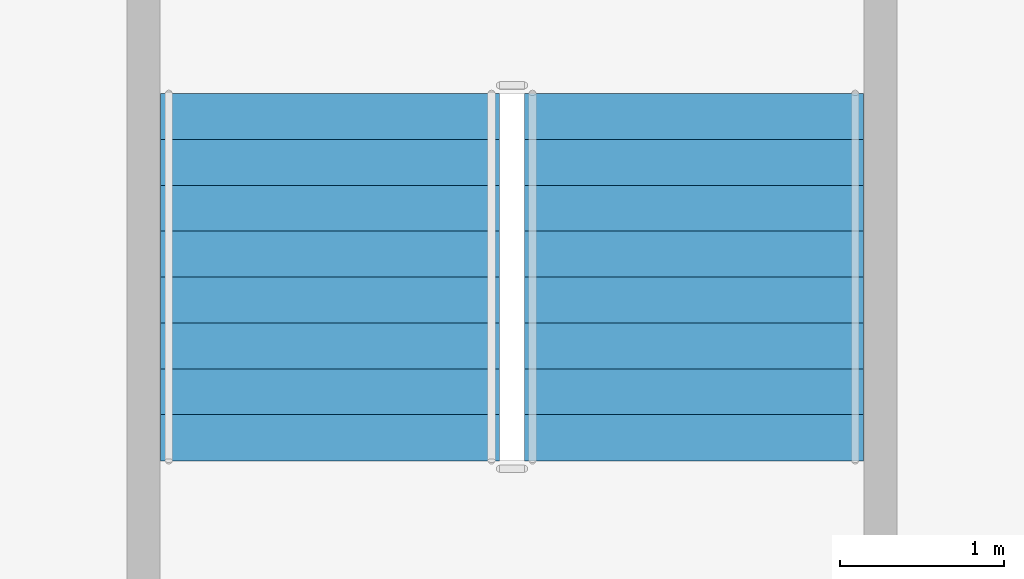
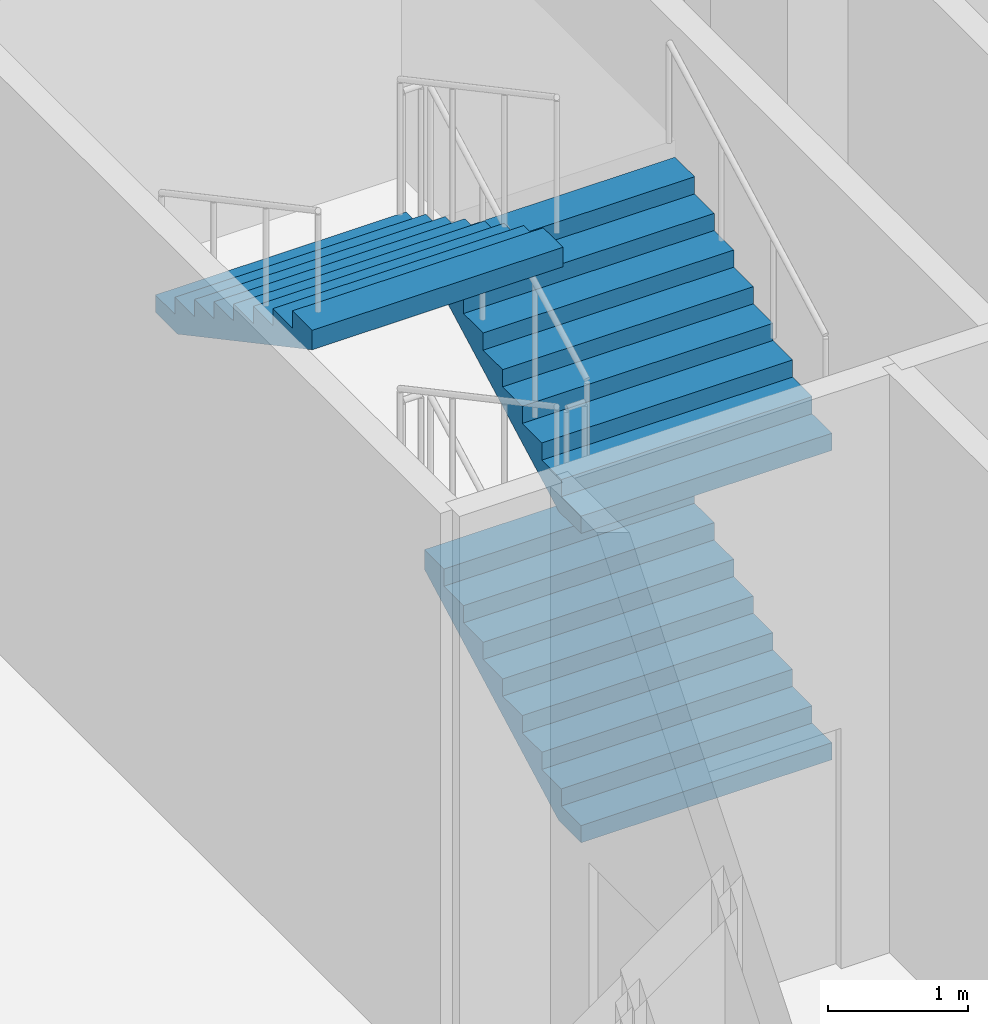
# One storey, part 12 of 26: 3 stair flights, 1 element without a shape of its own.
"""IFC4 building model written with IfcOpenShell, lengths in metres."""

from ifc_helpers import new_model, si_unit, direction, frame, origin, place, context, subcontext, project, spatial, polygons, material, type_object, element, aggregate, save


model = new_model("IFC4")

# Units and contexts
model_context = context("Model", 3, precision=1e-05, world=origin(), true_north=direction((0.0, 1.0)))
body_context = subcontext(model_context, "Body", "Model", "MODEL_VIEW")
ifc_project = project(units=[si_unit("LENGTHUNIT", "METRE"), si_unit("AREAUNIT", "SQUARE_METRE"), si_unit("VOLUMEUNIT", "CUBIC_METRE"), si_unit("PLANEANGLEUNIT", "RADIAN"), si_unit("MASSUNIT", "GRAM", prefix="KILO")], contexts=[model_context])

# Site, building, storey
site_placement = place(None, origin())
site = spatial("IfcSite", under=ifc_project, at=site_placement, CompositionType="ELEMENT")
building_placement = place(site_placement, origin())
building = spatial("IfcBuilding", under=site, at=building_placement, Name="Caravel Reach Hotel and Residences", CompositionType="ELEMENT")
storey_placement = place(building_placement, frame((0.0, 0.0, 12.0)))
storey = spatial("IfcBuildingStorey", under=building, at=storey_placement, Name="L02", CompositionType="ELEMENT", Elevation=12.0)

# Stair, stair flights
ifc_material_1 = material(Name="Concrete C40", Category="concrete")
stair_type = type_object("IfcStairType", Name="Core stair", PredefinedType="HALF_TURN_STAIR", material=ifc_material_1)
stair_placement = place(storey_placement, origin())
stair = element("IfcStair", 1, at=stair_placement, inside=storey, type_object=stair_type, Name="L02 Exit stair P4", PredefinedType="HALF_TURN_STAIR")
ifc_material_2 = material(Name="Concrete C40", Category="concrete")
stair_flight_type = type_object("IfcStairFlightType", Name="Core stair flight", PredefinedType="STRAIGHT", material=ifc_material_2)
stair_flight_1_placement = place(storey_placement, frame((55.110107421875, 13.68994140625, 0.0), z_axis=(0.0, 0.0, 1.0), x_axis=(0.0, 1.0, 0.0)))
stair_flight_1 = element("IfcStairFlight", 2, at=stair_flight_1_placement, type_object=stair_flight_type, Name="ST-P4 flight 1", NumberOfRisers=9, NumberOfTreads=8, PredefinedType="STRAIGHT", RiserHeight=0.15, TreadLength=0.28, context=body_context, shape_type="Tessellation", body=[
    polygons([(0.3174408016601864, 1.0350341796875, 0.0), (0.3174408016601864, 0.6900227864583333, 0.0), (0.3174408016601864, 0.34501139322916663, 0.0), (0.3174408016601864, 0.0, 0.0), (0.3174408016601864, -0.34501139322916674, 0.0), (0.3174408016601864, -0.6900227864583333, 0.0), (0.3174408016601864, -1.0350341796875, 0.0), (2.241, 1.0350341796875, 1.029942427682043), (2.241, 0.6900227864583333, 1.029942427682043), (2.241, 0.34501139322916663, 1.029942427682043), (2.241, 0.0, 1.029942427682043), (2.241, -0.34501139322916674, 1.029942427682043), (2.241, -0.6900227864583333, 1.029942427682043), (2.241, -1.0350341796875, 1.029942427682043), (2.241, 1.0350341796875, 1.2), (2.241, 0.6900227864583333, 1.2), (2.241, 0.34501139322916663, 1.2), (2.241, 0.0, 1.2), (2.241, -0.34501139322916674, 1.2), (2.241, -0.6900227864583333, 1.2), (2.241, -1.0350341796875, 1.2), (1.9600000000000002, 1.0350341796875, 1.2), (1.9600000000000002, 0.6900227864583333, 1.2), (1.9600000000000002, 0.34501139322916663, 1.2), (1.9600000000000002, 0.0, 1.2), (1.9600000000000002, -0.34501139322916674, 1.2), (1.9600000000000002, -0.6900227864583333, 1.2), (1.9600000000000002, -1.0350341796875, 1.2), (1.9600000000000002, 1.0350341796875, 1.05), (1.9600000000000002, 0.6900227864583333, 1.05), (1.9600000000000002, 0.34501139322916663, 1.05), (1.9600000000000002, 0.0, 1.05), (1.9600000000000002, -0.34501139322916674, 1.05), (1.9600000000000002, -0.6900227864583333, 1.05), (1.9600000000000002, -1.0350341796875, 1.05), (1.6800000000000002, 1.0350341796875, 1.05), (1.6800000000000002, 0.6900227864583333, 1.05), (1.6800000000000002, 0.34501139322916663, 1.05), (1.6800000000000002, 0.0, 1.05), (1.6800000000000002, -0.34501139322916674, 1.05), (1.6800000000000002, -0.6900227864583333, 1.05), (1.6800000000000002, -1.0350341796875, 1.05), (1.6800000000000002, 1.0350341796875, 0.8999999999999999), (1.6800000000000002, 0.6900227864583333, 0.8999999999999999), (1.6800000000000002, 0.34501139322916663, 0.8999999999999999), (1.6800000000000002, 0.0, 0.8999999999999999), (1.6800000000000002, -0.34501139322916674, 0.8999999999999999), (1.6800000000000002, -0.6900227864583333, 0.8999999999999999), (1.6800000000000002, -1.0350341796875, 0.8999999999999999), (1.4000000000000001, 1.0350341796875, 0.8999999999999999), (1.4000000000000001, 0.6900227864583333, 0.8999999999999999), (1.4000000000000001, 0.34501139322916663, 0.8999999999999999), (1.4000000000000001, 0.0, 0.8999999999999999), (1.4000000000000001, -0.34501139322916674, 0.8999999999999999), (1.4000000000000001, -0.6900227864583333, 0.8999999999999999), (1.4000000000000001, -1.0350341796875, 0.8999999999999999), (1.4000000000000001, 1.0350341796875, 0.75), (1.4000000000000001, 0.6900227864583333, 0.75), (1.4000000000000001, 0.34501139322916663, 0.75), (1.4000000000000001, 0.0, 0.75), (1.4000000000000001, -0.34501139322916674, 0.75), (1.4000000000000001, -0.6900227864583333, 0.75), (1.4000000000000001, -1.0350341796875, 0.75), (1.12, 1.0350341796875, 0.75), (1.12, 0.6900227864583333, 0.75), (1.12, 0.34501139322916663, 0.75), (1.12, 0.0, 0.75), (1.12, -0.34501139322916674, 0.75), (1.12, -0.6900227864583333, 0.75), (1.12, -1.0350341796875, 0.75), (1.12, 1.0350341796875, 0.6), (1.12, 0.6900227864583333, 0.6), (1.12, 0.34501139322916663, 0.6), (1.12, 0.0, 0.6), (1.12, -0.34501139322916674, 0.6), (1.12, -0.6900227864583333, 0.6), (1.12, -1.0350341796875, 0.6), (0.8400000000000001, 1.0350341796875, 0.6), (0.8400000000000001, 0.6900227864583333, 0.6), (0.8400000000000001, 0.34501139322916663, 0.6), (0.8400000000000001, 0.0, 0.6), (0.8400000000000001, -0.34501139322916674, 0.6), (0.8400000000000001, -0.6900227864583333, 0.6), (0.8400000000000001, -1.0350341796875, 0.6), (0.8400000000000001, 1.0350341796875, 0.44999999999999996), (0.8400000000000001, 0.6900227864583333, 0.44999999999999996), (0.8400000000000001, 0.34501139322916663, 0.44999999999999996), (0.8400000000000001, 0.0, 0.44999999999999996), (0.8400000000000001, -0.34501139322916674, 0.44999999999999996), (0.8400000000000001, -0.6900227864583333, 0.44999999999999996), (0.8400000000000001, -1.0350341796875, 0.44999999999999996), (0.56, 1.0350341796875, 0.44999999999999996), (0.56, 0.6900227864583333, 0.44999999999999996), (0.56, 0.34501139322916663, 0.44999999999999996), (0.56, 0.0, 0.44999999999999996), (0.56, -0.34501139322916674, 0.44999999999999996), (0.56, -0.6900227864583333, 0.44999999999999996), (0.56, -1.0350341796875, 0.44999999999999996), (0.56, 1.0350341796875, 0.3), (0.56, 0.6900227864583333, 0.3), (0.56, 0.34501139322916663, 0.3), (0.56, 0.0, 0.3), (0.56, -0.34501139322916674, 0.3), (0.56, -0.6900227864583333, 0.3), (0.56, -1.0350341796875, 0.3), (0.28, 1.0350341796875, 0.3), (0.28, 0.6900227864583333, 0.3), (0.28, 0.34501139322916663, 0.3), (0.28, 0.0, 0.3), (0.28, -0.34501139322916674, 0.3), (0.28, -0.6900227864583333, 0.3), (0.28, -1.0350341796875, 0.3), (0.28, 1.0350341796875, 0.15), (0.28, 0.6900227864583333, 0.15), (0.28, 0.34501139322916663, 0.15), (0.28, 0.0, 0.15), (0.28, -0.34501139322916674, 0.15), (0.28, -0.6900227864583333, 0.15), (0.28, -1.0350341796875, 0.15), (-0.001, 1.0350341796875, 0.15), (-0.001, 0.6900227864583333, 0.15), (-0.001, 0.34501139322916663, 0.15), (-0.001, 0.0, 0.15), (-0.001, -0.34501139322916674, 0.15), (-0.001, -0.6900227864583333, 0.15), (-0.001, -1.0350341796875, 0.15), (-0.001, 1.0350341796875, 0.0), (-0.001, 0.6900227864583333, 0.0), (-0.001, 0.34501139322916663, 0.0), (-0.001, 0.0, 0.0), (-0.001, -0.34501139322916674, 0.0), (-0.001, -0.6900227864583333, 0.0), (-0.001, -1.0350341796875, 0.0)], [[[127, 120, 113, 106, 99, 92, 85, 78, 71, 64, 57, 50, 43, 36, 29, 22, 15, 8, 1]], [[7, 14, 21, 28, 35, 42, 49, 56, 63, 70, 77, 84, 91, 98, 105, 112, 119, 126, 133]], [[1, 8, 9, 2]], [[2, 9, 10, 3]], [[3, 10, 11, 4]], [[4, 11, 12, 5]], [[5, 12, 13, 6]], [[6, 13, 14, 7]], [[8, 15, 16, 9]], [[9, 16, 17, 10]], [[10, 17, 18, 11]], [[11, 18, 19, 12]], [[12, 19, 20, 13]], [[13, 20, 21, 14]], [[15, 22, 23, 16]], [[16, 23, 24, 17]], [[17, 24, 25, 18]], [[18, 25, 26, 19]], [[19, 26, 27, 20]], [[20, 27, 28, 21]], [[22, 29, 30, 23]], [[23, 30, 31, 24]], [[24, 31, 32, 25]], [[25, 32, 33, 26]], [[26, 33, 34, 27]], [[27, 34, 35, 28]], [[29, 36, 37, 30]], [[30, 37, 38, 31]], [[31, 38, 39, 32]], [[32, 39, 40, 33]], [[33, 40, 41, 34]], [[34, 41, 42, 35]], [[36, 43, 44, 37]], [[37, 44, 45, 38]], [[38, 45, 46, 39]], [[39, 46, 47, 40]], [[40, 47, 48, 41]], [[41, 48, 49, 42]], [[43, 50, 51, 44]], [[44, 51, 52, 45]], [[45, 52, 53, 46]], [[46, 53, 54, 47]], [[47, 54, 55, 48]], [[48, 55, 56, 49]], [[50, 57, 58, 51]], [[51, 58, 59, 52]], [[52, 59, 60, 53]], [[53, 60, 61, 54]], [[54, 61, 62, 55]], [[55, 62, 63, 56]], [[57, 64, 65, 58]], [[58, 65, 66, 59]], [[59, 66, 67, 60]], [[60, 67, 68, 61]], [[61, 68, 69, 62]], [[62, 69, 70, 63]], [[64, 71, 72, 65]], [[65, 72, 73, 66]], [[66, 73, 74, 67]], [[67, 74, 75, 68]], [[68, 75, 76, 69]], [[69, 76, 77, 70]], [[71, 78, 79, 72]], [[72, 79, 80, 73]], [[73, 80, 81, 74]], [[74, 81, 82, 75]], [[75, 82, 83, 76]], [[76, 83, 84, 77]], [[78, 85, 86, 79]], [[79, 86, 87, 80]], [[80, 87, 88, 81]], [[81, 88, 89, 82]], [[82, 89, 90, 83]], [[83, 90, 91, 84]], [[85, 92, 93, 86]], [[86, 93, 94, 87]], [[87, 94, 95, 88]], [[88, 95, 96, 89]], [[89, 96, 97, 90]], [[90, 97, 98, 91]], [[92, 99, 100, 93]], [[93, 100, 101, 94]], [[94, 101, 102, 95]], [[95, 102, 103, 96]], [[96, 103, 104, 97]], [[97, 104, 105, 98]], [[99, 106, 107, 100]], [[100, 107, 108, 101]], [[101, 108, 109, 102]], [[102, 109, 110, 103]], [[103, 110, 111, 104]], [[104, 111, 112, 105]], [[106, 113, 114, 107]], [[107, 114, 115, 108]], [[108, 115, 116, 109]], [[109, 116, 117, 110]], [[110, 117, 118, 111]], [[111, 118, 119, 112]], [[113, 120, 121, 114]], [[114, 121, 122, 115]], [[115, 122, 123, 116]], [[116, 123, 124, 117]], [[117, 124, 125, 118]], [[118, 125, 126, 119]], [[120, 127, 128, 121]], [[121, 128, 129, 122]], [[122, 129, 130, 123]], [[123, 130, 131, 124]], [[124, 131, 132, 125]], [[125, 132, 133, 126]], [[127, 1, 2, 128]], [[128, 2, 3, 129]], [[129, 3, 4, 130]], [[130, 4, 5, 131]], [[131, 5, 6, 132]], [[132, 6, 7, 133]]], closed=True),
])
stair_flight_2_placement = place(storey_placement, frame((55.110107421875, 13.68994140625, 2.699951171875), z_axis=(0.0, 0.0, 1.0), x_axis=(0.0, 1.0, 0.0)))
stair_flight_2 = element("IfcStairFlight", 3, at=stair_flight_2_placement, type_object=stair_flight_type, Name="ST-P4 flight 3", NumberOfRisers=9, NumberOfTreads=8, PredefinedType="STRAIGHT", RiserHeight=0.15, TreadLength=0.28, context=body_context, shape_type="Tessellation", body=[
    polygons([(0.3174408016601864, 1.0350341796875, 0.0), (0.3174408016601864, 0.6900227864583333, 0.0), (0.3174408016601864, 0.34501139322916663, 0.0), (0.3174408016601864, 0.0, 0.0), (0.3174408016601864, -0.34501139322916674, 0.0), (0.3174408016601864, -0.6900227864583333, 0.0), (0.3174408016601864, -1.0350341796875, 0.0), (2.241, 1.0350341796875, 1.029942427682043), (2.241, 0.6900227864583333, 1.029942427682043), (2.241, 0.34501139322916663, 1.029942427682043), (2.241, 0.0, 1.029942427682043), (2.241, -0.34501139322916674, 1.029942427682043), (2.241, -0.6900227864583333, 1.029942427682043), (2.241, -1.0350341796875, 1.029942427682043), (2.241, 1.0350341796875, 1.2), (2.241, 0.6900227864583333, 1.2), (2.241, 0.34501139322916663, 1.2), (2.241, 0.0, 1.2), (2.241, -0.34501139322916674, 1.2), (2.241, -0.6900227864583333, 1.2), (2.241, -1.0350341796875, 1.2), (1.9600000000000002, 1.0350341796875, 1.2), (1.9600000000000002, 0.6900227864583333, 1.2), (1.9600000000000002, 0.34501139322916663, 1.2), (1.9600000000000002, 0.0, 1.2), (1.9600000000000002, -0.34501139322916674, 1.2), (1.9600000000000002, -0.6900227864583333, 1.2), (1.9600000000000002, -1.0350341796875, 1.2), (1.9600000000000002, 1.0350341796875, 1.05), (1.9600000000000002, 0.6900227864583333, 1.05), (1.9600000000000002, 0.34501139322916663, 1.05), (1.9600000000000002, 0.0, 1.05), (1.9600000000000002, -0.34501139322916674, 1.05), (1.9600000000000002, -0.6900227864583333, 1.05), (1.9600000000000002, -1.0350341796875, 1.05), (1.6800000000000002, 1.0350341796875, 1.05), (1.6800000000000002, 0.6900227864583333, 1.05), (1.6800000000000002, 0.34501139322916663, 1.05), (1.6800000000000002, 0.0, 1.05), (1.6800000000000002, -0.34501139322916674, 1.05), (1.6800000000000002, -0.6900227864583333, 1.05), (1.6800000000000002, -1.0350341796875, 1.05), (1.6800000000000002, 1.0350341796875, 0.8999999999999999), (1.6800000000000002, 0.6900227864583333, 0.8999999999999999), (1.6800000000000002, 0.34501139322916663, 0.8999999999999999), (1.6800000000000002, 0.0, 0.8999999999999999), (1.6800000000000002, -0.34501139322916674, 0.8999999999999999), (1.6800000000000002, -0.6900227864583333, 0.8999999999999999), (1.6800000000000002, -1.0350341796875, 0.8999999999999999), (1.4000000000000001, 1.0350341796875, 0.8999999999999999), (1.4000000000000001, 0.6900227864583333, 0.8999999999999999), (1.4000000000000001, 0.34501139322916663, 0.8999999999999999), (1.4000000000000001, 0.0, 0.8999999999999999), (1.4000000000000001, -0.34501139322916674, 0.8999999999999999), (1.4000000000000001, -0.6900227864583333, 0.8999999999999999), (1.4000000000000001, -1.0350341796875, 0.8999999999999999), (1.4000000000000001, 1.0350341796875, 0.75), (1.4000000000000001, 0.6900227864583333, 0.75), (1.4000000000000001, 0.34501139322916663, 0.75), (1.4000000000000001, 0.0, 0.75), (1.4000000000000001, -0.34501139322916674, 0.75), (1.4000000000000001, -0.6900227864583333, 0.75), (1.4000000000000001, -1.0350341796875, 0.75), (1.12, 1.0350341796875, 0.75), (1.12, 0.6900227864583333, 0.75), (1.12, 0.34501139322916663, 0.75), (1.12, 0.0, 0.75), (1.12, -0.34501139322916674, 0.75), (1.12, -0.6900227864583333, 0.75), (1.12, -1.0350341796875, 0.75), (1.12, 1.0350341796875, 0.6), (1.12, 0.6900227864583333, 0.6), (1.12, 0.34501139322916663, 0.6), (1.12, 0.0, 0.6), (1.12, -0.34501139322916674, 0.6), (1.12, -0.6900227864583333, 0.6), (1.12, -1.0350341796875, 0.6), (0.8400000000000001, 1.0350341796875, 0.6), (0.8400000000000001, 0.6900227864583333, 0.6), (0.8400000000000001, 0.34501139322916663, 0.6), (0.8400000000000001, 0.0, 0.6), (0.8400000000000001, -0.34501139322916674, 0.6), (0.8400000000000001, -0.6900227864583333, 0.6), (0.8400000000000001, -1.0350341796875, 0.6), (0.8400000000000001, 1.0350341796875, 0.44999999999999996), (0.8400000000000001, 0.6900227864583333, 0.44999999999999996), (0.8400000000000001, 0.34501139322916663, 0.44999999999999996), (0.8400000000000001, 0.0, 0.44999999999999996), (0.8400000000000001, -0.34501139322916674, 0.44999999999999996), (0.8400000000000001, -0.6900227864583333, 0.44999999999999996), (0.8400000000000001, -1.0350341796875, 0.44999999999999996), (0.56, 1.0350341796875, 0.44999999999999996), (0.56, 0.6900227864583333, 0.44999999999999996), (0.56, 0.34501139322916663, 0.44999999999999996), (0.56, 0.0, 0.44999999999999996), (0.56, -0.34501139322916674, 0.44999999999999996), (0.56, -0.6900227864583333, 0.44999999999999996), (0.56, -1.0350341796875, 0.44999999999999996), (0.56, 1.0350341796875, 0.3), (0.56, 0.6900227864583333, 0.3), (0.56, 0.34501139322916663, 0.3), (0.56, 0.0, 0.3), (0.56, -0.34501139322916674, 0.3), (0.56, -0.6900227864583333, 0.3), (0.56, -1.0350341796875, 0.3), (0.28, 1.0350341796875, 0.3), (0.28, 0.6900227864583333, 0.3), (0.28, 0.34501139322916663, 0.3), (0.28, 0.0, 0.3), (0.28, -0.34501139322916674, 0.3), (0.28, -0.6900227864583333, 0.3), (0.28, -1.0350341796875, 0.3), (0.28, 1.0350341796875, 0.15), (0.28, 0.6900227864583333, 0.15), (0.28, 0.34501139322916663, 0.15), (0.28, 0.0, 0.15), (0.28, -0.34501139322916674, 0.15), (0.28, -0.6900227864583333, 0.15), (0.28, -1.0350341796875, 0.15), (-0.001, 1.0350341796875, 0.15), (-0.001, 0.6900227864583333, 0.15), (-0.001, 0.34501139322916663, 0.15), (-0.001, 0.0, 0.15), (-0.001, -0.34501139322916674, 0.15), (-0.001, -0.6900227864583333, 0.15), (-0.001, -1.0350341796875, 0.15), (-0.001, 1.0350341796875, 0.0), (-0.001, 0.6900227864583333, 0.0), (-0.001, 0.34501139322916663, 0.0), (-0.001, 0.0, 0.0), (-0.001, -0.34501139322916674, 0.0), (-0.001, -0.6900227864583333, 0.0), (-0.001, -1.0350341796875, 0.0)], [[[127, 120, 113, 106, 99, 92, 85, 78, 71, 64, 57, 50, 43, 36, 29, 22, 15, 8, 1]], [[7, 14, 21, 28, 35, 42, 49, 56, 63, 70, 77, 84, 91, 98, 105, 112, 119, 126, 133]], [[1, 8, 9, 2]], [[2, 9, 10, 3]], [[3, 10, 11, 4]], [[4, 11, 12, 5]], [[5, 12, 13, 6]], [[6, 13, 14, 7]], [[8, 15, 16, 9]], [[9, 16, 17, 10]], [[10, 17, 18, 11]], [[11, 18, 19, 12]], [[12, 19, 20, 13]], [[13, 20, 21, 14]], [[15, 22, 23, 16]], [[16, 23, 24, 17]], [[17, 24, 25, 18]], [[18, 25, 26, 19]], [[19, 26, 27, 20]], [[20, 27, 28, 21]], [[22, 29, 30, 23]], [[23, 30, 31, 24]], [[24, 31, 32, 25]], [[25, 32, 33, 26]], [[26, 33, 34, 27]], [[27, 34, 35, 28]], [[29, 36, 37, 30]], [[30, 37, 38, 31]], [[31, 38, 39, 32]], [[32, 39, 40, 33]], [[33, 40, 41, 34]], [[34, 41, 42, 35]], [[36, 43, 44, 37]], [[37, 44, 45, 38]], [[38, 45, 46, 39]], [[39, 46, 47, 40]], [[40, 47, 48, 41]], [[41, 48, 49, 42]], [[43, 50, 51, 44]], [[44, 51, 52, 45]], [[45, 52, 53, 46]], [[46, 53, 54, 47]], [[47, 54, 55, 48]], [[48, 55, 56, 49]], [[50, 57, 58, 51]], [[51, 58, 59, 52]], [[52, 59, 60, 53]], [[53, 60, 61, 54]], [[54, 61, 62, 55]], [[55, 62, 63, 56]], [[57, 64, 65, 58]], [[58, 65, 66, 59]], [[59, 66, 67, 60]], [[60, 67, 68, 61]], [[61, 68, 69, 62]], [[62, 69, 70, 63]], [[64, 71, 72, 65]], [[65, 72, 73, 66]], [[66, 73, 74, 67]], [[67, 74, 75, 68]], [[68, 75, 76, 69]], [[69, 76, 77, 70]], [[71, 78, 79, 72]], [[72, 79, 80, 73]], [[73, 80, 81, 74]], [[74, 81, 82, 75]], [[75, 82, 83, 76]], [[76, 83, 84, 77]], [[78, 85, 86, 79]], [[79, 86, 87, 80]], [[80, 87, 88, 81]], [[81, 88, 89, 82]], [[82, 89, 90, 83]], [[83, 90, 91, 84]], [[85, 92, 93, 86]], [[86, 93, 94, 87]], [[87, 94, 95, 88]], [[88, 95, 96, 89]], [[89, 96, 97, 90]], [[90, 97, 98, 91]], [[92, 99, 100, 93]], [[93, 100, 101, 94]], [[94, 101, 102, 95]], [[95, 102, 103, 96]], [[96, 103, 104, 97]], [[97, 104, 105, 98]], [[99, 106, 107, 100]], [[100, 107, 108, 101]], [[101, 108, 109, 102]], [[102, 109, 110, 103]], [[103, 110, 111, 104]], [[104, 111, 112, 105]], [[106, 113, 114, 107]], [[107, 114, 115, 108]], [[108, 115, 116, 109]], [[109, 116, 117, 110]], [[110, 117, 118, 111]], [[111, 118, 119, 112]], [[113, 120, 121, 114]], [[114, 121, 122, 115]], [[115, 122, 123, 116]], [[116, 123, 124, 117]], [[117, 124, 125, 118]], [[118, 125, 126, 119]], [[120, 127, 128, 121]], [[121, 128, 129, 122]], [[122, 129, 130, 123]], [[123, 130, 131, 124]], [[124, 131, 132, 125]], [[125, 132, 133, 126]], [[127, 1, 2, 128]], [[128, 2, 3, 129]], [[129, 3, 4, 130]], [[130, 4, 5, 131]], [[131, 5, 6, 132]], [[132, 6, 7, 133]]], closed=True),
])
stair_flight_3_placement = place(storey_placement, frame((52.889892578125, 15.929931640625, 4.050048828125), z_axis=(0.0, 0.0, 1.0), x_axis=(0.0, -1.0, 0.0)))
stair_flight_3 = element("IfcStairFlight", 4, at=stair_flight_3_placement, type_object=stair_flight_type, Name="ST-P4 flight 4", NumberOfRisers=9, NumberOfTreads=8, PredefinedType="STRAIGHT", RiserHeight=0.15, TreadLength=0.28, context=body_context, shape_type="Tessellation", body=[
    polygons([(0.3174408016601864, 1.0350341796875, 0.0), (0.3174408016601864, 0.6900227864583333, 0.0), (0.3174408016601864, 0.34501139322916663, 0.0), (0.3174408016601864, 0.0, 0.0), (0.3174408016601864, -0.34501139322916674, 0.0), (0.3174408016601864, -0.6900227864583333, 0.0), (0.3174408016601864, -1.0350341796875, 0.0), (2.241, 1.0350341796875, 1.029942427682043), (2.241, 0.6900227864583333, 1.029942427682043), (2.241, 0.34501139322916663, 1.029942427682043), (2.241, 0.0, 1.029942427682043), (2.241, -0.34501139322916674, 1.029942427682043), (2.241, -0.6900227864583333, 1.029942427682043), (2.241, -1.0350341796875, 1.029942427682043), (2.241, 1.0350341796875, 1.2), (2.241, 0.6900227864583333, 1.2), (2.241, 0.34501139322916663, 1.2), (2.241, 0.0, 1.2), (2.241, -0.34501139322916674, 1.2), (2.241, -0.6900227864583333, 1.2), (2.241, -1.0350341796875, 1.2), (1.9600000000000002, 1.0350341796875, 1.2), (1.9600000000000002, 0.6900227864583333, 1.2), (1.9600000000000002, 0.34501139322916663, 1.2), (1.9600000000000002, 0.0, 1.2), (1.9600000000000002, -0.34501139322916674, 1.2), (1.9600000000000002, -0.6900227864583333, 1.2), (1.9600000000000002, -1.0350341796875, 1.2), (1.9600000000000002, 1.0350341796875, 1.05), (1.9600000000000002, 0.6900227864583333, 1.05), (1.9600000000000002, 0.34501139322916663, 1.05), (1.9600000000000002, 0.0, 1.05), (1.9600000000000002, -0.34501139322916674, 1.05), (1.9600000000000002, -0.6900227864583333, 1.05), (1.9600000000000002, -1.0350341796875, 1.05), (1.6800000000000002, 1.0350341796875, 1.05), (1.6800000000000002, 0.6900227864583333, 1.05), (1.6800000000000002, 0.34501139322916663, 1.05), (1.6800000000000002, 0.0, 1.05), (1.6800000000000002, -0.34501139322916674, 1.05), (1.6800000000000002, -0.6900227864583333, 1.05), (1.6800000000000002, -1.0350341796875, 1.05), (1.6800000000000002, 1.0350341796875, 0.8999999999999999), (1.6800000000000002, 0.6900227864583333, 0.8999999999999999), (1.6800000000000002, 0.34501139322916663, 0.8999999999999999), (1.6800000000000002, 0.0, 0.8999999999999999), (1.6800000000000002, -0.34501139322916674, 0.8999999999999999), (1.6800000000000002, -0.6900227864583333, 0.8999999999999999), (1.6800000000000002, -1.0350341796875, 0.8999999999999999), (1.4000000000000001, 1.0350341796875, 0.8999999999999999), (1.4000000000000001, 0.6900227864583333, 0.8999999999999999), (1.4000000000000001, 0.34501139322916663, 0.8999999999999999), (1.4000000000000001, 0.0, 0.8999999999999999), (1.4000000000000001, -0.34501139322916674, 0.8999999999999999), (1.4000000000000001, -0.6900227864583333, 0.8999999999999999), (1.4000000000000001, -1.0350341796875, 0.8999999999999999), (1.4000000000000001, 1.0350341796875, 0.75), (1.4000000000000001, 0.6900227864583333, 0.75), (1.4000000000000001, 0.34501139322916663, 0.75), (1.4000000000000001, 0.0, 0.75), (1.4000000000000001, -0.34501139322916674, 0.75), (1.4000000000000001, -0.6900227864583333, 0.75), (1.4000000000000001, -1.0350341796875, 0.75), (1.12, 1.0350341796875, 0.75), (1.12, 0.6900227864583333, 0.75), (1.12, 0.34501139322916663, 0.75), (1.12, 0.0, 0.75), (1.12, -0.34501139322916674, 0.75), (1.12, -0.6900227864583333, 0.75), (1.12, -1.0350341796875, 0.75), (1.12, 1.0350341796875, 0.6), (1.12, 0.6900227864583333, 0.6), (1.12, 0.34501139322916663, 0.6), (1.12, 0.0, 0.6), (1.12, -0.34501139322916674, 0.6), (1.12, -0.6900227864583333, 0.6), (1.12, -1.0350341796875, 0.6), (0.8400000000000001, 1.0350341796875, 0.6), (0.8400000000000001, 0.6900227864583333, 0.6), (0.8400000000000001, 0.34501139322916663, 0.6), (0.8400000000000001, 0.0, 0.6), (0.8400000000000001, -0.34501139322916674, 0.6), (0.8400000000000001, -0.6900227864583333, 0.6), (0.8400000000000001, -1.0350341796875, 0.6), (0.8400000000000001, 1.0350341796875, 0.44999999999999996), (0.8400000000000001, 0.6900227864583333, 0.44999999999999996), (0.8400000000000001, 0.34501139322916663, 0.44999999999999996), (0.8400000000000001, 0.0, 0.44999999999999996), (0.8400000000000001, -0.34501139322916674, 0.44999999999999996), (0.8400000000000001, -0.6900227864583333, 0.44999999999999996), (0.8400000000000001, -1.0350341796875, 0.44999999999999996), (0.56, 1.0350341796875, 0.44999999999999996), (0.56, 0.6900227864583333, 0.44999999999999996), (0.56, 0.34501139322916663, 0.44999999999999996), (0.56, 0.0, 0.44999999999999996), (0.56, -0.34501139322916674, 0.44999999999999996), (0.56, -0.6900227864583333, 0.44999999999999996), (0.56, -1.0350341796875, 0.44999999999999996), (0.56, 1.0350341796875, 0.3), (0.56, 0.6900227864583333, 0.3), (0.56, 0.34501139322916663, 0.3), (0.56, 0.0, 0.3), (0.56, -0.34501139322916674, 0.3), (0.56, -0.6900227864583333, 0.3), (0.56, -1.0350341796875, 0.3), (0.28, 1.0350341796875, 0.3), (0.28, 0.6900227864583333, 0.3), (0.28, 0.34501139322916663, 0.3), (0.28, 0.0, 0.3), (0.28, -0.34501139322916674, 0.3), (0.28, -0.6900227864583333, 0.3), (0.28, -1.0350341796875, 0.3), (0.28, 1.0350341796875, 0.15), (0.28, 0.6900227864583333, 0.15), (0.28, 0.34501139322916663, 0.15), (0.28, 0.0, 0.15), (0.28, -0.34501139322916674, 0.15), (0.28, -0.6900227864583333, 0.15), (0.28, -1.0350341796875, 0.15), (-0.001, 1.0350341796875, 0.15), (-0.001, 0.6900227864583333, 0.15), (-0.001, 0.34501139322916663, 0.15), (-0.001, 0.0, 0.15), (-0.001, -0.34501139322916674, 0.15), (-0.001, -0.6900227864583333, 0.15), (-0.001, -1.0350341796875, 0.15), (-0.001, 1.0350341796875, 0.0), (-0.001, 0.6900227864583333, 0.0), (-0.001, 0.34501139322916663, 0.0), (-0.001, 0.0, 0.0), (-0.001, -0.34501139322916674, 0.0), (-0.001, -0.6900227864583333, 0.0), (-0.001, -1.0350341796875, 0.0)], [[[127, 120, 113, 106, 99, 92, 85, 78, 71, 64, 57, 50, 43, 36, 29, 22, 15, 8, 1]], [[7, 14, 21, 28, 35, 42, 49, 56, 63, 70, 77, 84, 91, 98, 105, 112, 119, 126, 133]], [[1, 8, 9, 2]], [[2, 9, 10, 3]], [[3, 10, 11, 4]], [[4, 11, 12, 5]], [[5, 12, 13, 6]], [[6, 13, 14, 7]], [[8, 15, 16, 9]], [[9, 16, 17, 10]], [[10, 17, 18, 11]], [[11, 18, 19, 12]], [[12, 19, 20, 13]], [[13, 20, 21, 14]], [[15, 22, 23, 16]], [[16, 23, 24, 17]], [[17, 24, 25, 18]], [[18, 25, 26, 19]], [[19, 26, 27, 20]], [[20, 27, 28, 21]], [[22, 29, 30, 23]], [[23, 30, 31, 24]], [[24, 31, 32, 25]], [[25, 32, 33, 26]], [[26, 33, 34, 27]], [[27, 34, 35, 28]], [[29, 36, 37, 30]], [[30, 37, 38, 31]], [[31, 38, 39, 32]], [[32, 39, 40, 33]], [[33, 40, 41, 34]], [[34, 41, 42, 35]], [[36, 43, 44, 37]], [[37, 44, 45, 38]], [[38, 45, 46, 39]], [[39, 46, 47, 40]], [[40, 47, 48, 41]], [[41, 48, 49, 42]], [[43, 50, 51, 44]], [[44, 51, 52, 45]], [[45, 52, 53, 46]], [[46, 53, 54, 47]], [[47, 54, 55, 48]], [[48, 55, 56, 49]], [[50, 57, 58, 51]], [[51, 58, 59, 52]], [[52, 59, 60, 53]], [[53, 60, 61, 54]], [[54, 61, 62, 55]], [[55, 62, 63, 56]], [[57, 64, 65, 58]], [[58, 65, 66, 59]], [[59, 66, 67, 60]], [[60, 67, 68, 61]], [[61, 68, 69, 62]], [[62, 69, 70, 63]], [[64, 71, 72, 65]], [[65, 72, 73, 66]], [[66, 73, 74, 67]], [[67, 74, 75, 68]], [[68, 75, 76, 69]], [[69, 76, 77, 70]], [[71, 78, 79, 72]], [[72, 79, 80, 73]], [[73, 80, 81, 74]], [[74, 81, 82, 75]], [[75, 82, 83, 76]], [[76, 83, 84, 77]], [[78, 85, 86, 79]], [[79, 86, 87, 80]], [[80, 87, 88, 81]], [[81, 88, 89, 82]], [[82, 89, 90, 83]], [[83, 90, 91, 84]], [[85, 92, 93, 86]], [[86, 93, 94, 87]], [[87, 94, 95, 88]], [[88, 95, 96, 89]], [[89, 96, 97, 90]], [[90, 97, 98, 91]], [[92, 99, 100, 93]], [[93, 100, 101, 94]], [[94, 101, 102, 95]], [[95, 102, 103, 96]], [[96, 103, 104, 97]], [[97, 104, 105, 98]], [[99, 106, 107, 100]], [[100, 107, 108, 101]], [[101, 108, 109, 102]], [[102, 109, 110, 103]], [[103, 110, 111, 104]], [[104, 111, 112, 105]], [[106, 113, 114, 107]], [[107, 114, 115, 108]], [[108, 115, 116, 109]], [[109, 116, 117, 110]], [[110, 117, 118, 111]], [[111, 118, 119, 112]], [[113, 120, 121, 114]], [[114, 121, 122, 115]], [[115, 122, 123, 116]], [[116, 123, 124, 117]], [[117, 124, 125, 118]], [[118, 125, 126, 119]], [[120, 127, 128, 121]], [[121, 128, 129, 122]], [[122, 129, 130, 123]], [[123, 130, 131, 124]], [[124, 131, 132, 125]], [[125, 132, 133, 126]], [[127, 1, 2, 128]], [[128, 2, 3, 129]], [[129, 3, 4, 130]], [[130, 4, 5, 131]], [[131, 5, 6, 132]], [[132, 6, 7, 133]]], closed=True),
])
aggregate(stair, [stair_flight_1, stair_flight_2, stair_flight_3])

save(model, "model.ifc")
